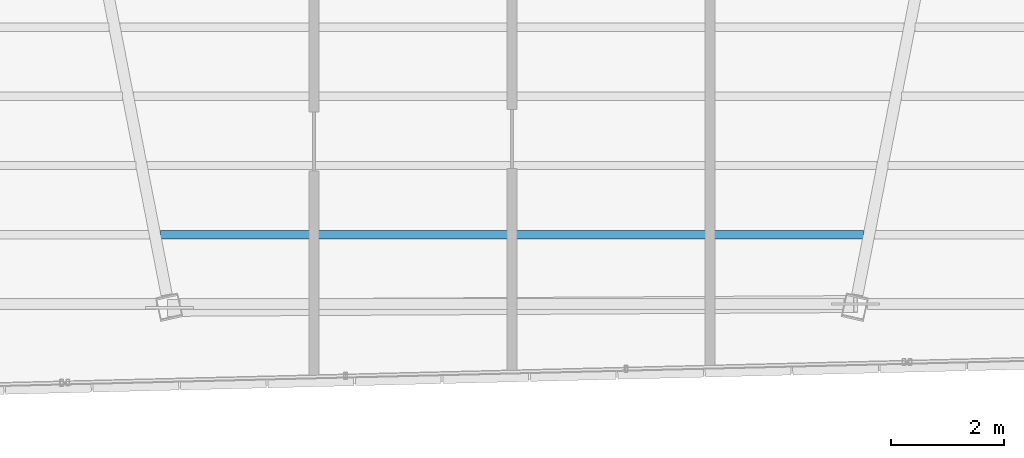
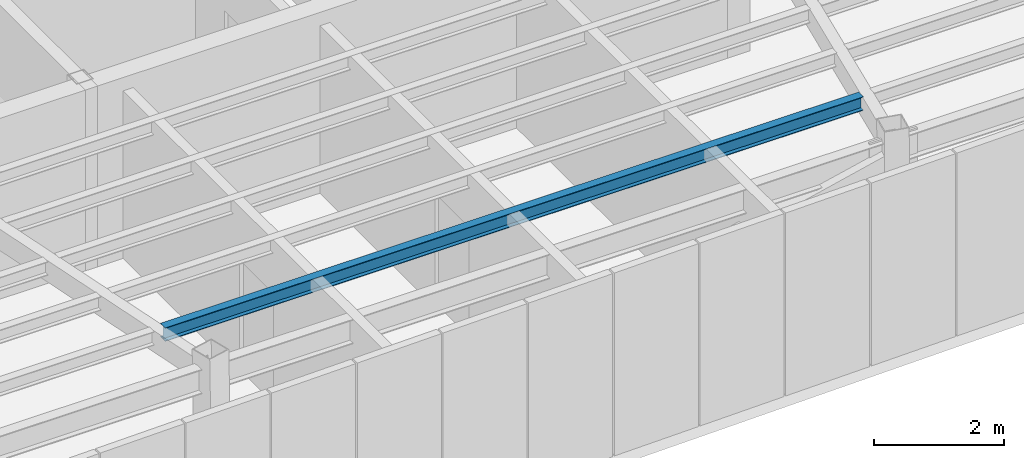
# One storey, part 14 of 44: 1 beam.
"""IFC4 building model written with IfcOpenShell, lengths in metres."""

import ifcopenshell
import ifcopenshell.guid

model = None  # the IFC model being written
_history = None  # IfcOwnerHistory: only IFC2X3 demands one
_inside = {}  # id of a spatial element -> (the spatial element, [elements in it])
_under = {}  # id of a project, library or spatial element -> (it, [spatial elements below it])
_declared = {}  # id of a project -> (the project, [libraries it declares])
_typed = {}  # id of a type object -> (the type object, [elements of that type])
_made_of = {}  # id of a material, layer set ... -> (it, [elements and type objects made of it])


def new_model(schema):
    """Start an empty IFC model of exactly this schema.

    Asked for "IFC4X3", IfcOpenShell would pick the latest addendum, in which some entities
    have other attributes; the version numbers below select the first issue.
    IFC2X3 requires an IfcOwnerHistory on every rooted entity: one is made here for all.
    """
    global model, _history
    if schema == "IFC4X3":
        model = ifcopenshell.file(schema_version=(4, 3, 0, 0))
    else:
        model = ifcopenshell.file(schema=schema)
    _inside.clear()
    _under.clear()
    _declared.clear()
    _typed.clear()
    _made_of.clear()
    _history = None
    if model.schema == "IFC2X3":
        org = make("IfcOrganization", Name="unknown")
        user = make(
            "IfcPersonAndOrganization",
            ThePerson=make("IfcPerson", FamilyName="unknown"),
            TheOrganization=org,
        )
        app = make(
            "IfcApplication",
            ApplicationDeveloper=org,
            Version="unknown",
            ApplicationFullName="unknown",
            ApplicationIdentifier="unknown",
        )
        _history = make(
            "IfcOwnerHistory",
            OwningUser=user,
            OwningApplication=app,
            ChangeAction="ADDED",
            CreationDate=0,
        )
    return model


def make(cls, **values):
    """One entity of the class cls with the attributes given. An attribute that is None is left unset."""
    return model.create_entity(
        cls, **{name: value for name, value in values.items() if value is not None}
    )


def rooted(cls, **values):
    """An entity with a GlobalId (a new one), such as an element, a storey or a relation."""
    return make(cls, GlobalId=ifcopenshell.guid.new(), OwnerHistory=_history, **values)


def si_unit(unit_type, name, prefix=None):
    """IfcSIUnit, for example si_unit("LENGTHUNIT", "METRE", prefix="MILLI")."""
    return make("IfcSIUnit", UnitType=unit_type, Prefix=prefix, Name=name)


def assignment(units):
    """IfcUnitAssignment: the units of a project."""
    return None if units is None else make("IfcUnitAssignment", Units=units)


def point(xyz):
    """IfcCartesianPoint."""
    return None if xyz is None else make("IfcCartesianPoint", Coordinates=xyz)


def direction(xyz):
    """IfcDirection."""
    return None if xyz is None else make("IfcDirection", DirectionRatios=xyz)


def frame(location, z_axis=None, x_axis=None):
    """IfcAxis2Placement3D, a coordinate frame: its origin and axes. An axis left out is left unset."""
    return make(
        "IfcAxis2Placement3D",
        Location=point(location),
        Axis=direction(z_axis),
        RefDirection=direction(x_axis),
    )


def frame_2d(location, x_axis=None):
    """IfcAxis2Placement2D, a coordinate frame in the plane: its origin and x axis."""
    return make(
        "IfcAxis2Placement2D", Location=point(location), RefDirection=direction(x_axis)
    )


def origin():
    """The frame at (0, 0, 0) with its axes left unset."""
    return frame((0.0, 0.0, 0.0))


def origin_2d():
    """The frame at (0, 0) in the plane with its x axis left unset."""
    return frame_2d((0.0, 0.0))


def place(relative_to, where):
    """IfcLocalPlacement: puts the frame where relative to a parent placement (None: the world)."""
    return make(
        "IfcLocalPlacement", PlacementRelTo=relative_to, RelativePlacement=where
    )


def context(
    kind, dimensions, precision=None, world=None, true_north=None, identifier=None
):
    """IfcGeometricRepresentationContext, for example the 3D "Model" context."""
    return make(
        "IfcGeometricRepresentationContext",
        ContextIdentifier=identifier,
        ContextType=kind,
        CoordinateSpaceDimension=dimensions,
        Precision=precision,
        WorldCoordinateSystem=world,
        TrueNorth=true_north,
    )


def subcontext(parent, identifier, kind, view, scale=None):
    """IfcGeometricRepresentationSubContext, for example "Body" below "Model"."""
    return make(
        "IfcGeometricRepresentationSubContext",
        ContextIdentifier=identifier,
        ContextType=kind,
        ParentContext=parent,
        TargetScale=scale,
        TargetView=view,
    )


def project(units=None, contexts=None):
    """IfcProject with its units and contexts."""
    return rooted(
        "IfcProject",
        Name="project",
        RepresentationContexts=contexts,
        UnitsInContext=assignment(units),
    )


def spatial(cls, under=None, at=None, **own):
    """A site, building, storey or space (cls), placed at a placement, below another one or the project."""
    s = rooted(cls, ObjectPlacement=at, **own)
    if under is not None:
        _under.setdefault(under.id(), (under, []))[1].append(s)
    return s


def profile(cls, at=None, kind="AREA", **sizes):
    """A parametric profile (cls). Its sizes go by their IFC names, for example OverallWidth=200.0."""
    return make(cls, ProfileType=kind, Position=at, **sizes)


def i_section(**sizes):
    """IfcIShapeProfileDef."""
    return profile("IfcIShapeProfileDef", **sizes)


def extrude(swept, where, along, depth):
    """IfcExtrudedAreaSolid: the profile swept, set in the frame where, extruded along a direction by depth."""
    return make(
        "IfcExtrudedAreaSolid",
        SweptArea=swept,
        Position=where,
        ExtrudedDirection=direction(along),
        Depth=depth,
    )


def shape(context_of_items, identifier, shape_type, items):
    """IfcShapeRepresentation: the items that make up one representation, for example the "Body"."""
    return make(
        "IfcShapeRepresentation",
        ContextOfItems=context_of_items,
        RepresentationIdentifier=identifier,
        RepresentationType=shape_type,
        Items=items,
    )


def source(mapping_origin, context_of_items, identifier, shape_type, items):
    """IfcRepresentationMap: a shape defined once, which mapped items show again and again."""
    return make(
        "IfcRepresentationMap",
        MappingOrigin=mapping_origin,
        MappedRepresentation=shape(context_of_items, identifier, shape_type, items),
    )


def transform(
    local_origin,
    x_axis=None,
    y_axis=None,
    z_axis=None,
    scale=None,
    scale2=None,
    scale3=None,
    uniform=True,
):
    """IfcCartesianTransformationOperator3D, or its non-uniform kind. x_axis, y_axis, z_axis: its Axis1, 2, 3."""
    if uniform:
        return make(
            "IfcCartesianTransformationOperator3D",
            Axis1=direction(x_axis),
            Axis2=direction(y_axis),
            LocalOrigin=point(local_origin),
            Scale=scale,
            Axis3=direction(z_axis),
        )
    return make(
        "IfcCartesianTransformationOperator3DnonUniform",
        Axis1=direction(x_axis),
        Axis2=direction(y_axis),
        LocalOrigin=point(local_origin),
        Scale=scale,
        Axis3=direction(z_axis),
        Scale2=scale2,
        Scale3=scale3,
    )


def mapped(mapping_source, mapping_target):
    """IfcMappedItem: shows the shape of a source again, moved by a transform."""
    return make(
        "IfcMappedItem", MappingSource=mapping_source, MappingTarget=mapping_target
    )


def material(Name=None, Category=None):
    """IfcMaterial."""
    return make("IfcMaterial", Name=Name, Category=Category)


def material_profile(
    of_material, cross_section, Name=None, Category=None, Priority=None
):
    """IfcMaterialProfile: a cross section and its material."""
    return make(
        "IfcMaterialProfile",
        Name=Name,
        Material=of_material,
        Profile=cross_section,
        Priority=Priority,
        Category=Category,
    )


def profile_set(profiles, Name=None, composite=None):
    """IfcMaterialProfileSet."""
    return make(
        "IfcMaterialProfileSet",
        Name=Name,
        MaterialProfiles=profiles,
        CompositeProfile=composite,
    )


def made_of(thing, what):
    """Note that an element or type object is made of a material, layer set ...; save() writes the relation."""
    if what is not None:
        _made_of.setdefault(what.id(), (what, []))[1].append(thing)
    return thing


def type_object(cls, material=None, **own):
    """A type object (cls), such as IfcWallType, which elements share."""
    return made_of(rooted(cls, **own), material)


def type_shapes(of_type, sources):
    """Give a type object the sources (RepresentationMaps) that its elements show as mapped items."""
    of_type.RepresentationMaps = sources


def element(
    cls,
    number,
    at=None,
    inside=None,
    cuts=None,
    type_object=None,
    material=None,
    context=None,
    identifier="Body",
    shape_type=None,
    held_by="IfcProductDefinitionShape",
    body=None,
    shapes=None,
    **own,
):
    """One element of the class cls, such as IfcWall. Its Tag is "e" and its number.

    at: its placement. inside: the storey or other place that contains it. cuts: it is an
    opening in that element (IfcRelVoidsElement). A single representation is given by context,
    identifier, shape_type and body (its items); several are given by shapes. held_by: the class
    of the entity that holds the representations. save() writes the other relations.
    """
    e = rooted(cls, Tag="e%d" % number, ObjectPlacement=at, **own)
    if body is not None:
        shapes = [shape(context, identifier, shape_type, body)]
    if shapes is not None:
        e.Representation = make(held_by, Representations=shapes)
    if inside is not None:
        _inside.setdefault(inside.id(), (inside, []))[1].append(e)
    if cuts is not None:
        rooted(
            "IfcRelVoidsElement", RelatingBuildingElement=cuts, RelatedOpeningElement=e
        )
    if type_object is not None:
        _typed.setdefault(type_object.id(), (type_object, []))[1].append(e)
    return made_of(e, material)


def aggregate(whole, parts):
    """IfcRelAggregates: a whole, such as a stair, and the parts it consists of."""
    return rooted("IfcRelAggregates", RelatingObject=whole, RelatedObjects=parts)


def save(model, path):
    """Write the relations noted so far, then the file.

    IfcRelAggregates (storeys below a building ...), IfcRelContainedInSpatialStructure (elements
    in a storey), IfcRelDefinesByType, IfcRelAssociatesMaterial and IfcRelDeclares: one each for
    every whole, place, type object, material and project.
    """
    for whole, parts in _under.values():
        aggregate(whole, parts)
    for where, things in _inside.values():
        rooted(
            "IfcRelContainedInSpatialStructure",
            RelatedElements=things,
            RelatingStructure=where,
        )
    for kind, things in _typed.values():
        rooted("IfcRelDefinesByType", RelatedObjects=things, RelatingType=kind)
    for what, things in _made_of.values():
        rooted("IfcRelAssociatesMaterial", RelatedObjects=things, RelatingMaterial=what)
    for by, libraries in _declared.values():
        rooted("IfcRelDeclares", RelatingContext=by, RelatedDefinitions=libraries)
    model.write(path)


model = new_model("IFC4")

# Units and contexts
model_context = context("Model", 3, precision=1e-05, world=origin(), true_north=direction((0.0, 1.0)))
body_context = subcontext(model_context, "Body", "Model", "MODEL_VIEW")
ifc_project = project(units=[si_unit("LENGTHUNIT", "METRE"), si_unit("AREAUNIT", "SQUARE_METRE"), si_unit("VOLUMEUNIT", "CUBIC_METRE"), si_unit("PLANEANGLEUNIT", "RADIAN"), si_unit("MASSUNIT", "GRAM", prefix="KILO")], contexts=[model_context])

# Site, building, storey
site_placement = place(None, origin())
site = spatial("IfcSite", under=ifc_project, at=site_placement, CompositionType="ELEMENT")
building_placement = place(site_placement, origin())
building = spatial("IfcBuilding", under=site, at=building_placement, Name="Caelisora Broadcast Tower", CompositionType="ELEMENT")
storey_placement = place(building_placement, frame((0.0, 0.0, 289.800048828125)))
storey = spatial("IfcBuildingStorey", under=building, at=storey_placement, Name="L76", CompositionType="ELEMENT", Elevation=289.800048828125)

# Beam
ifc_material = material(Name="Steel Grade 350 (AS/NZS 3679.1)", Category="steel")
ifc_material_profile = material_profile(ifc_material, i_section(OverallWidth=0.14599609375, OverallDepth=0.256103515625, WebThickness=0.00634765625, FlangeThickness=0.010986328125, at=origin_2d()), Name="Steel Grade 350 (AS/NZS 3679.1)")
ifc_profile_set = profile_set([ifc_material_profile], Name="Steel Grade 350 (AS/NZS 3679.1)")
beam_type = type_object("IfcBeamType", Name="SB04", PredefinedType="JOIST", material=ifc_profile_set)
shared_shape = source(origin(), body_context, "Body", "SweptSolid", [
    extrude(i_section(OverallWidth=0.14599609375, OverallDepth=0.256103515625, WebThickness=0.00634765625, FlangeThickness=0.010986328125, at=origin_2d()), origin(), (0.0, 0.0, 1.0), 12.41845703125),
])
type_shapes(beam_type, [shared_shape])
beam_placement = place(storey_placement, frame((31.790771484375, 11.283935546875, 3.02197265625), z_axis=(1.0, 0.0, 0.0), x_axis=(0.0, 1.0, 0.0)))
element("IfcBeam", 1, at=beam_placement, inside=storey, type_object=beam_type, Name="L76 beam SB04", PredefinedType="JOIST", context=body_context, shape_type="MappedRepresentation", body=[
    mapped(shared_shape, transform((0.0, 0.0, 0.0), scale=1.0)),
])

save(model, "model.ifc")
